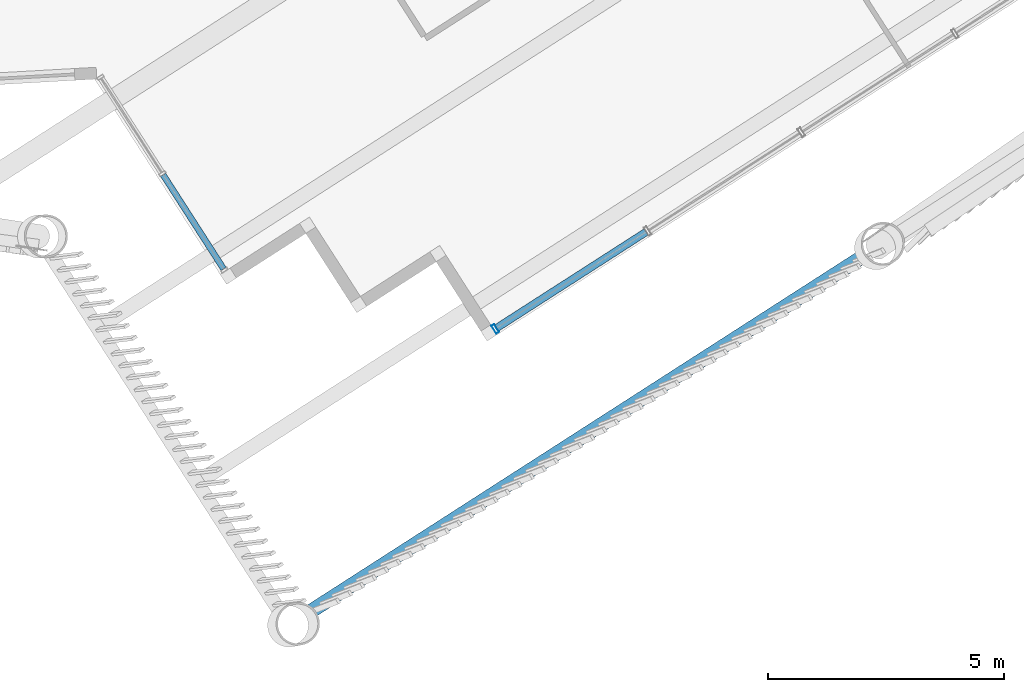
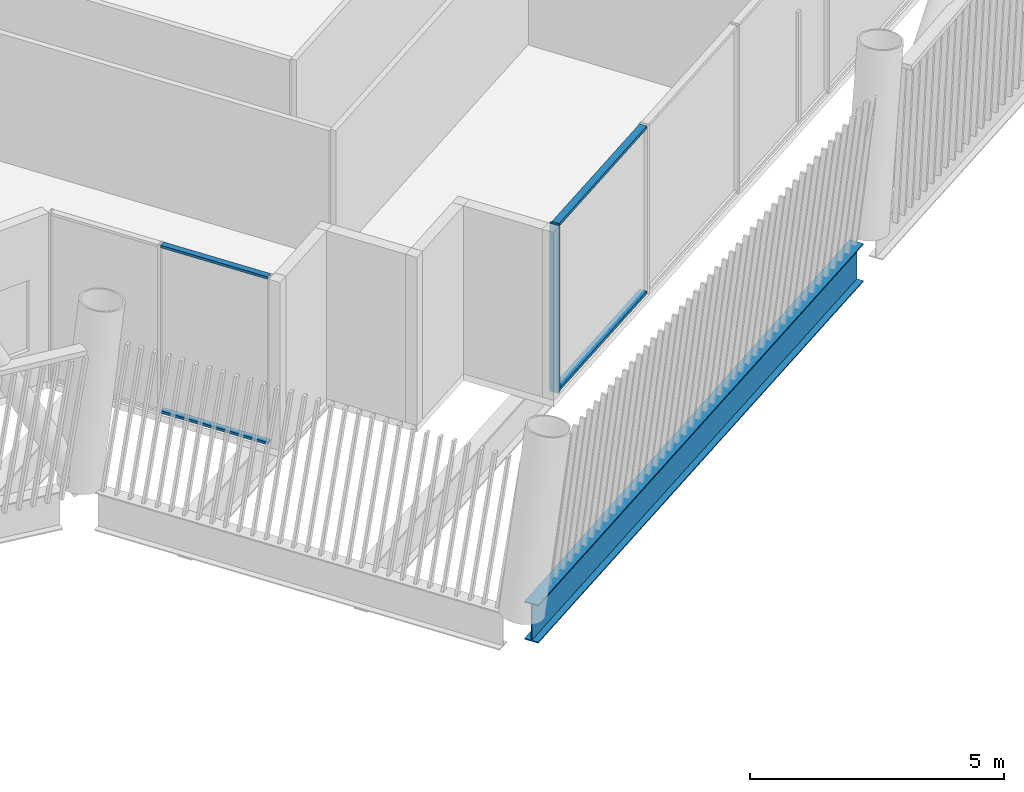
# One storey, part 6 of 35: 5 members, 1 beam, 2 elements without a shape of their own.
"""IFC4 building model written with IfcOpenShell, lengths in metres."""

from ifc_helpers import new_model, si_unit, direction, frame, origin, origin_2d, place, context, subcontext, project, spatial, hollow_rectangle, i_section, extrude, material, layer, layer_set, material_profile, profile_set, type_object, element, aggregate, save


model = new_model("IFC4")

# Units and contexts
model_context = context("Model", 3, precision=1e-05, world=origin(), true_north=direction((0.0, 1.0)))
body_context = subcontext(model_context, "Body", "Model", "MODEL_VIEW")
ifc_project = project(units=[si_unit("LENGTHUNIT", "METRE"), si_unit("AREAUNIT", "SQUARE_METRE"), si_unit("VOLUMEUNIT", "CUBIC_METRE"), si_unit("PLANEANGLEUNIT", "RADIAN"), si_unit("MASSUNIT", "GRAM", prefix="KILO")], contexts=[model_context])

# Site, building, storey
site_placement = place(None, origin())
site = spatial("IfcSite", under=ifc_project, at=site_placement, CompositionType="ELEMENT")
building_placement = place(site_placement, origin())
building = spatial("IfcBuilding", under=site, at=building_placement, Name="Tarsis Ring Headquarters", CompositionType="ELEMENT")
storey_placement = place(building_placement, frame((0.0, 0.0, 360.800048828125)))
storey = spatial("IfcBuildingStorey", under=building, at=storey_placement, Name="L85", CompositionType="ELEMENT", Elevation=360.800048828125)

# Curtain wall, members
ifc_material_1 = material(Name="Aluminium curtain wall", Category="aluminium")
ifc_layer_1 = layer(ifc_material_1, 0.199951171875)
ifc_layer_set_1 = layer_set([ifc_layer_1], Name="Curtain wall executive tip")
curtain_wall_type_1 = type_object("IfcCurtainWallType", Name="Curtain wall executive tip", PredefinedType="NOTDEFINED", material=ifc_layer_set_1)
curtain_wall_1_placement = place(storey_placement, origin())
curtain_wall_1 = element("IfcCurtainWall", 1, at=curtain_wall_1_placement, inside=storey, type_object=curtain_wall_type_1, Name="Curtain wall L85-11", PredefinedType="NOTDEFINED")
ifc_material_2 = material(Name="Aluminium mullion", Category="aluminium")
ifc_material_profile_1 = material_profile(ifc_material_2, hollow_rectangle(XDim=0.199951171875, YDim=0.070068359375, WallThickness=0.0048828125, at=origin_2d()), Name="RHS 200x70x5")
ifc_profile_set_1 = profile_set([ifc_material_profile_1], Name="Aluminium mullion")
member_type_1 = type_object("IfcMemberType", Name="Curtain wall mullion executive tip RHS 200x70x5", PredefinedType="MULLION", material=ifc_profile_set_1)
member_1_placement = place(storey_placement, frame((10.73876953125, -30.9873046875, 0.0), z_axis=(0.0, 0.0, 1.0), x_axis=(-0.540534064595, 0.841322129159, 0.0)))
member_1 = element("IfcMember", 2, at=member_1_placement, type_object=member_type_1, Name="CW-E mullion 1", PredefinedType="MULLION", context=body_context, shape_type="SweptSolid", body=[
    extrude(hollow_rectangle(XDim=0.199951171875, YDim=0.070068359375, WallThickness=0.0048828125, at=origin_2d()), origin(), (0.0, 0.0, 1.0), 4.0400390625),
])
ifc_material_3 = material(Name="Aluminium transom", Category="aluminium")
ifc_material_profile_2 = material_profile(ifc_material_3, hollow_rectangle(XDim=0.159912109375, YDim=0.070068359375, WallThickness=0.0048828125, at=origin_2d()), Name="RHS 160x70x5")
ifc_profile_set_2 = profile_set([ifc_material_profile_2], Name="Aluminium transom")
member_type_2 = type_object("IfcMemberType", Name="Curtain wall transom executive tip RHS 160x70x5", PredefinedType="USERDEFINED", material=ifc_profile_set_2)
member_2_placement = place(storey_placement, frame((10.76806640625, -30.968505859375, 0.034912109375), z_axis=(0.841325725927, 0.540528466311, 0.0), x_axis=(-0.540528466311, 0.841325725927, 0.0)))
member_2 = element("IfcMember", 3, at=member_2_placement, type_object=member_type_2, Name="CW-E transom 1.1", ObjectType="TRANSOM", PredefinedType="USERDEFINED", context=body_context, shape_type="SweptSolid", body=[
    extrude(hollow_rectangle(XDim=0.159912109375, YDim=0.070068359375, WallThickness=0.0048828125, at=origin_2d()), origin(), (0.0, 0.0, 1.0), 3.77001953125),
])
member_3_placement = place(storey_placement, frame((10.76806640625, -30.968505859375, 4.0048828125), z_axis=(0.841325725927, 0.540528466311, 0.0), x_axis=(-0.540528466311, 0.841325725927, 0.0)))
member_3 = element("IfcMember", 4, at=member_3_placement, type_object=member_type_2, Name="CW-E transom 1.2", ObjectType="TRANSOM", PredefinedType="USERDEFINED", context=body_context, shape_type="SweptSolid", body=[
    extrude(hollow_rectangle(XDim=0.159912109375, YDim=0.070068359375, WallThickness=0.0048828125, at=origin_2d()), origin(), (0.0, 0.0, 1.0), 3.77001953125),
])
aggregate(curtain_wall_1, [member_1, member_2, member_3])

ifc_layer_2 = layer(ifc_material_1, 0.14990234375)
ifc_layer_set_2 = layer_set([ifc_layer_2], Name="Curtain wall tower unit")
curtain_wall_type_2 = type_object("IfcCurtainWallType", Name="Curtain wall tower unit", PredefinedType="NOTDEFINED", material=ifc_layer_set_2)
curtain_wall_2_placement = place(storey_placement, origin())
curtain_wall_2 = element("IfcCurtainWall", 5, at=curtain_wall_2_placement, inside=storey, type_object=curtain_wall_type_2, Name="Curtain wall L85-06", PredefinedType="NOTDEFINED")
ifc_material_profile_3 = material_profile(ifc_material_3, hollow_rectangle(XDim=0.1298828125, YDim=0.06005859375, WallThickness=0.0048828125, at=origin_2d()), Name="RHS 130x60x5")
ifc_profile_set_3 = profile_set([ifc_material_profile_3], Name="Aluminium transom")
member_type_3 = type_object("IfcMemberType", Name="Curtain wall transom tower unit RHS 130x60x5", PredefinedType="USERDEFINED", material=ifc_profile_set_3)
member_4_placement = place(storey_placement, frame((3.695068359375, -27.72021484375, 0.030029296875), z_axis=(0.540554623658, -0.841308919983, 0.0), x_axis=(0.841308919983, 0.540554623658, 0.0)))
member_4 = element("IfcMember", 6, at=member_4_placement, type_object=member_type_3, Name="CW-T transom 2.1", ObjectType="TRANSOM", PredefinedType="USERDEFINED", context=body_context, shape_type="SweptSolid", body=[
    extrude(hollow_rectangle(XDim=0.1298828125, YDim=0.06005859375, WallThickness=0.0048828125, at=origin_2d()), origin(), (0.0, 0.0, 1.0), 2.37109375),
])
member_5_placement = place(storey_placement, frame((3.695068359375, -27.72021484375, 4.010009765625), z_axis=(0.540554623658, -0.841308919983, 0.0), x_axis=(0.841308919983, 0.540554623658, 0.0)))
member_5 = element("IfcMember", 7, at=member_5_placement, type_object=member_type_3, Name="CW-T transom 2.2", ObjectType="TRANSOM", PredefinedType="USERDEFINED", context=body_context, shape_type="SweptSolid", body=[
    extrude(hollow_rectangle(XDim=0.1298828125, YDim=0.06005859375, WallThickness=0.0048828125, at=origin_2d()), origin(), (0.0, 0.0, 1.0), 2.37109375),
])
aggregate(curtain_wall_2, [member_4, member_5])

# Beam
ifc_material_4 = material(Name="Structural steel S355", Category="steel")
ifc_material_profile_4 = material_profile(ifc_material_4, i_section(OverallWidth=0.3046875, OverallDepth=0.91943359375, WebThickness=0.017333984375, FlangeThickness=0.02783203125, at=origin_2d()), Name="W36x170")
ifc_profile_set_4 = profile_set([ifc_material_profile_4], Name="Structural steel S355")
beam_type = type_object("IfcBeamType", Name="XG Ring girder W36x170", PredefinedType="BEAM", material=ifc_profile_set_4)
beam_placement = place(storey_placement, frame((6.705322265625, -37.055419921875, -0.459716796875), z_axis=(0.841323167135, 0.540532449019, 0.0), x_axis=(-0.540532449019, 0.841323167135, 0.0)))
element("IfcBeam", 8, at=beam_placement, inside=storey, type_object=beam_type, Name="Ring girder XG4", PredefinedType="BEAM", context=body_context, shape_type="SweptSolid", body=[
    extrude(i_section(OverallWidth=0.3046875, OverallDepth=0.91943359375, WebThickness=0.017333984375, FlangeThickness=0.02783203125, at=origin_2d()), origin(), (0.0, 0.0, 1.0), 13.976806640625),
])

save(model, "model.ifc")
